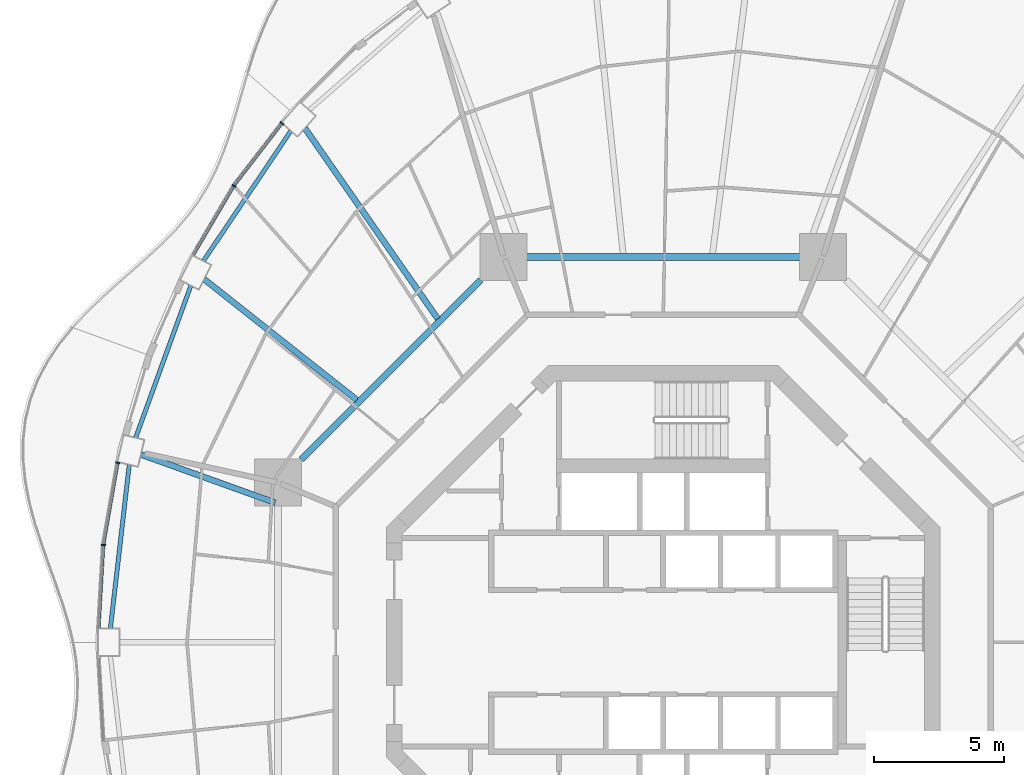
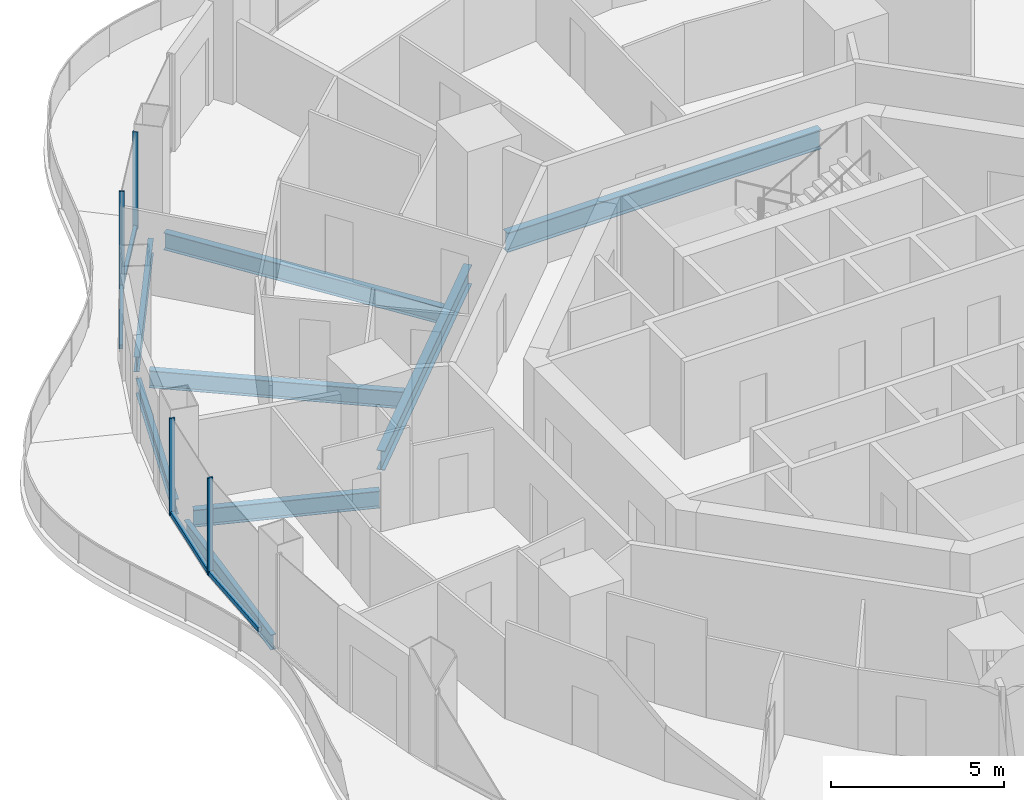
# One storey, part 6 of 19: 8 beams, 8 members, 4 elements without a shape of their own.
"""IFC4 building model written with IfcOpenShell, lengths in metres."""

from ifc_helpers import new_model, si_unit, direction, frame, origin, origin_2d, place, context, subcontext, project, spatial, rectangle, i_section, extrude, material, layer, layer_set, material_profile, profile_set, type_object, element, aggregate, save


model = new_model("IFC4")

# Units and contexts
model_context = context("Model", 3, precision=1e-05, world=origin(), true_north=direction((0.0, 1.0)))
body_context = subcontext(model_context, "Body", "Model", "MODEL_VIEW")
ifc_project = project(units=[si_unit("LENGTHUNIT", "METRE"), si_unit("AREAUNIT", "SQUARE_METRE"), si_unit("VOLUMEUNIT", "CUBIC_METRE"), si_unit("PLANEANGLEUNIT", "RADIAN"), si_unit("MASSUNIT", "GRAM", prefix="KILO")], contexts=[model_context])

# Site, building, storey
site_placement = place(None, origin())
site = spatial("IfcSite", under=ifc_project, at=site_placement, CompositionType="ELEMENT")
building_placement = place(site_placement, origin())
building = spatial("IfcBuilding", under=site, at=building_placement, Name="Nagisa Residences", CompositionType="ELEMENT")
storey_placement = place(building_placement, frame((0.0, 0.0, 184.39990234375)))
storey = spatial("IfcBuildingStorey", under=building, at=storey_placement, Name="L46", CompositionType="ELEMENT", Elevation=184.39990234375)

# Curtain wall, member
ifc_material_1 = material(Name="Concrete-coloured aluminium curtain wall system", Category="concrete")
ifc_layer = layer(ifc_material_1, 0.159912109375)
ifc_layer_set = layer_set([ifc_layer], Name="CW1 CURTAIN WALL")
curtain_wall_type = type_object("IfcCurtainWallType", Name="CW1 CURTAIN WALL", PredefinedType="NOTDEFINED", material=ifc_layer_set)
curtain_wall_1_placement = place(storey_placement, origin())
curtain_wall_1 = element("IfcCurtainWall", 1, at=curtain_wall_1_placement, inside=storey, type_object=curtain_wall_type, Name="cw:CW1:L46:18", PredefinedType="NOTDEFINED")
ifc_material_2 = material(Name="Concrete-coloured aluminium", Category="concrete")
ifc_material_profile_1 = material_profile(ifc_material_2, rectangle(XDim=0.159912109375, YDim=0.06005859375, at=origin_2d()), Name="CW1 MULLION 160x60")
ifc_profile_set_1 = profile_set([ifc_material_profile_1], Name="Concrete-coloured aluminium")
member_type_1 = type_object("IfcMemberType", Name="CW1 MULLION 160x60", PredefinedType="MULLION", material=ifc_profile_set_1)
member_1_placement = place(storey_placement, frame((-14.633544921875, 19.909423828125, 0.0), z_axis=(0.0, 0.0, 1.0), x_axis=(0.792070340816, -0.610429828235, 0.0)))
member_1 = element("IfcMember", 2, at=member_1_placement, type_object=member_type_1, Name="CW1 mullion", PredefinedType="MULLION", context=body_context, shape_type="SweptSolid", body=[
    extrude(rectangle(XDim=0.159912109375, YDim=0.06005859375, at=origin_2d()), origin(), (0.0, 0.0, 1.0), 3.440185546875),
])

curtain_wall_2_placement = place(storey_placement, origin())
curtain_wall_2 = element("IfcCurtainWall", 3, at=curtain_wall_2_placement, inside=storey, type_object=curtain_wall_type, Name="cw:CW1:L46:19", PredefinedType="NOTDEFINED")
member_2_placement = place(storey_placement, frame((-16.4775390625, 17.51171875, 0.0), z_axis=(0.0, 0.0, 1.0), x_axis=(0.862328898214, -0.506348567002, 0.0)))
member_2 = element("IfcMember", 4, at=member_2_placement, type_object=member_type_1, Name="CW1 mullion", PredefinedType="MULLION", context=body_context, shape_type="SweptSolid", body=[
    extrude(rectangle(XDim=0.159912109375, YDim=0.06005859375, at=origin_2d()), origin(), (0.0, 0.0, 1.0), 3.440185546875),
])

curtain_wall_3_placement = place(storey_placement, origin())
curtain_wall_3 = element("IfcCurtainWall", 5, at=curtain_wall_3_placement, inside=storey, type_object=curtain_wall_type, Name="cw:CW1:L46:22", PredefinedType="NOTDEFINED")
member_3_placement = place(storey_placement, frame((-20.931396484375, 6.88818359375, 0.0), z_axis=(0.0, 0.0, 1.0), x_axis=(0.985063604377, -0.172190868898, 0.0)))
member_3 = element("IfcMember", 6, at=member_3_placement, type_object=member_type_1, Name="CW1 mullion", PredefinedType="MULLION", context=body_context, shape_type="SweptSolid", body=[
    extrude(rectangle(XDim=0.159912109375, YDim=0.06005859375, at=origin_2d()), origin(), (0.0, 0.0, 1.0), 3.440185546875),
])

curtain_wall_4_placement = place(storey_placement, origin())
curtain_wall_4 = element("IfcCurtainWall", 7, at=curtain_wall_4_placement, inside=storey, type_object=curtain_wall_type, Name="cw:CW1:L46:23", PredefinedType="NOTDEFINED")
member_4_placement = place(storey_placement, frame((-21.479736328125, 3.734375, 0.0), z_axis=(0.0, 0.0, 1.0), x_axis=(0.998345305184, -0.057503492216, 0.0)))
member_4 = element("IfcMember", 8, at=member_4_placement, type_object=member_type_1, Name="CW1 mullion", PredefinedType="MULLION", context=body_context, shape_type="SweptSolid", body=[
    extrude(rectangle(XDim=0.159912109375, YDim=0.06005859375, at=origin_2d()), origin(), (0.0, 0.0, 1.0), 3.440185546875),
])

# Member
ifc_material_3 = material(Name="Concrete-coloured aluminium", Category="concrete")
ifc_material_profile_2 = material_profile(ifc_material_3, rectangle(XDim=0.1201171875, YDim=0.14990234375, at=origin_2d()), Name="CW1 TRANSOM 120x150")
ifc_profile_set_2 = profile_set([ifc_material_profile_2], Name="Concrete-coloured aluminium")
member_type_2 = type_object("IfcMemberType", Name="CW1 TRANSOM 120x150", PredefinedType="USERDEFINED", material=ifc_profile_set_2)
member_5_placement = place(storey_placement, frame((-14.615234375, 19.933349609375, 0.0751953125), z_axis=(-0.610398538814, -0.792094453846, 0.0), x_axis=(0.792094453846, -0.610398538814, 0.0)))
member_5 = element("IfcMember", 9, at=member_5_placement, type_object=member_type_2, Name="CW1 transom", ObjectType="TRANSOM", PredefinedType="USERDEFINED", context=body_context, shape_type="SweptSolid", body=[
    extrude(rectangle(XDim=0.1201171875, YDim=0.14990234375, at=origin_2d()), origin(), (0.0, 0.0, 1.0), 3.035400390625),
])

aggregate(curtain_wall_1, [member_1, member_5])

member_6_placement = place(storey_placement, frame((-16.46240234375, 17.53759765625, 0.0751953125), z_axis=(-0.506309086483, -0.862352079458, 0.0), x_axis=(0.862352079458, -0.506309086483, 0.0)))
member_6 = element("IfcMember", 10, at=member_6_placement, type_object=member_type_2, Name="CW1 transom", ObjectType="TRANSOM", PredefinedType="USERDEFINED", context=body_context, shape_type="SweptSolid", body=[
    extrude(rectangle(XDim=0.1201171875, YDim=0.14990234375, at=origin_2d()), origin(), (0.0, 0.0, 1.0), 3.091796875),
])

aggregate(curtain_wall_2, [member_2, member_6])

member_7_placement = place(storey_placement, frame((-20.92626953125, 6.917724609375, 0.0751953125), z_axis=(-0.172162664901, -0.98506853407, 0.0), x_axis=(0.98506853407, -0.172162664901, 0.0)))
member_7 = element("IfcMember", 11, at=member_7_placement, type_object=member_type_2, Name="CW1 transom", ObjectType="TRANSOM", PredefinedType="USERDEFINED", context=body_context, shape_type="SweptSolid", body=[
    extrude(rectangle(XDim=0.1201171875, YDim=0.14990234375, at=origin_2d()), origin(), (0.0, 0.0, 1.0), 3.21044921875),
])

aggregate(curtain_wall_3, [member_3, member_7])

member_8_placement = place(storey_placement, frame((-21.47802734375, 3.764404296875, 0.0751953125), z_axis=(-0.057528345118, -0.998343873376, 0.0), x_axis=(0.998343873376, -0.057528345118, 0.0)))
member_8 = element("IfcMember", 12, at=member_8_placement, type_object=member_type_2, Name="CW1 transom", ObjectType="TRANSOM", PredefinedType="USERDEFINED", context=body_context, shape_type="SweptSolid", body=[
    extrude(rectangle(XDim=0.1201171875, YDim=0.14990234375, at=origin_2d()), origin(), (0.0, 0.0, 1.0), 3.225341796875),
])

aggregate(curtain_wall_4, [member_4, member_8])

# Beams
ifc_material_4 = material(Name="Steel ASTM A572 Gr 50", Category="steel")
ifc_material_profile_3 = material_profile(ifc_material_4, i_section(OverallWidth=0.25390625, OverallDepth=0.68408203125, WebThickness=0.012451171875, FlangeThickness=0.018798828125, at=origin_2d()), Name="W690x140")
ifc_profile_set_3 = profile_set([ifc_material_profile_3], Name="Steel ASTM A572 Gr 50")
beam_type_1 = type_object("IfcBeamType", Name="Inner ring beam W690x140", PredefinedType="BEAM", material=ifc_profile_set_3)
beam_1_placement = place(storey_placement, frame((5.242919921875, 14.781982421875, -0.601806640625), z_axis=(-1.0, 0.0, 0.0), x_axis=(0.0, -1.0, 0.0)))
element("IfcBeam", 13, at=beam_1_placement, inside=storey, type_object=beam_type_1, Name="beam:L46:ib2", PredefinedType="BEAM", context=body_context, shape_type="SweptSolid", body=[
    extrude(i_section(OverallWidth=0.25390625, OverallDepth=0.68408203125, WebThickness=0.012451171875, FlangeThickness=0.018798828125, at=origin_2d()), origin(), (0.0, 0.0, 1.0), 10.48583984375),
])
beam_2_placement = place(storey_placement, frame((-7.0087890625, 13.896240234375, -0.601806640625), z_axis=(-0.707106781187, -0.707106781187, 0.0), x_axis=(0.707106781187, -0.707106781187, 0.0)))
element("IfcBeam", 14, at=beam_2_placement, inside=storey, type_object=beam_type_1, Name="beam:L46:ib3", PredefinedType="BEAM", context=body_context, shape_type="SweptSolid", body=[
    extrude(i_section(OverallWidth=0.25390625, OverallDepth=0.68408203125, WebThickness=0.012451171875, FlangeThickness=0.018798828125, at=origin_2d()), origin(), (0.0, 0.0, 1.0), 9.740234375),
])
ifc_material_5 = material(Name="Steel ASTM A572 Gr 50", Category="steel")
ifc_material_profile_4 = material_profile(ifc_material_5, i_section(OverallWidth=0.166015625, OverallDepth=0.534912109375, WebThickness=0.01025390625, FlangeThickness=0.0166015625, at=origin_2d()), Name="W530x85")
ifc_profile_set_4 = profile_set([ifc_material_profile_4], Name="Steel ASTM A572 Gr 50")
beam_type_2 = type_object("IfcBeamType", Name="Perimeter ring beam W530x85", PredefinedType="BEAM", material=ifc_profile_set_4)
beam_3_placement = place(storey_placement, frame((-14.28759765625, 19.62060546875, -0.52734375), z_axis=(-0.558152301307, -0.829738518177, 0.0), x_axis=(0.829738518177, -0.558152301307, 0.0)))
element("IfcBeam", 15, at=beam_3_placement, inside=storey, type_object=beam_type_2, Name="beam:L46:pb10", PredefinedType="BEAM", context=body_context, shape_type="SweptSolid", body=[
    extrude(i_section(OverallWidth=0.166015625, OverallDepth=0.534912109375, WebThickness=0.01025390625, FlangeThickness=0.0166015625, at=origin_2d()), origin(), (0.0, 0.0, 1.0), 6.013916015625),
])
beam_4_placement = place(storey_placement, frame((-18.124755859375, 13.685546875, -0.52734375), z_axis=(-0.341285525681, -0.939959674646, 0.0), x_axis=(0.939959674646, -0.341285525681, 0.0)))
element("IfcBeam", 16, at=beam_4_placement, inside=storey, type_object=beam_type_2, Name="beam:L46:pb11", PredefinedType="BEAM", context=body_context, shape_type="SweptSolid", body=[
    extrude(i_section(OverallWidth=0.166015625, OverallDepth=0.534912109375, WebThickness=0.01025390625, FlangeThickness=0.0166015625, at=origin_2d()), origin(), (0.0, 0.0, 1.0), 6.212890625),
])
beam_5_placement = place(storey_placement, frame((-20.488525390625, 6.813720703125, -0.52734375), z_axis=(-0.114670987431, -0.993403525583, 0.0), x_axis=(0.993403525583, -0.114670987431, 0.0)))
element("IfcBeam", 17, at=beam_5_placement, inside=storey, type_object=beam_type_2, Name="beam:L46:pb12", PredefinedType="BEAM", context=body_context, shape_type="SweptSolid", body=[
    extrude(i_section(OverallWidth=0.166015625, OverallDepth=0.534912109375, WebThickness=0.01025390625, FlangeThickness=0.0166015625, at=origin_2d()), origin(), (0.0, 0.0, 1.0), 6.325439453125),
])
ifc_material_6 = material(Name="Steel ASTM A572 Gr 50", Category="steel")
ifc_material_profile_5 = material_profile(ifc_material_6, i_section(OverallWidth=0.22802734375, OverallDepth=0.60302734375, WebThickness=0.010498046875, FlangeThickness=0.014892578125, at=origin_2d()), Name="W610x101")
ifc_profile_set_5 = profile_set([ifc_material_profile_5], Name="Steel ASTM A572 Gr 50")
beam_type_3 = type_object("IfcBeamType", Name="Radial beam W610x101", PredefinedType="BEAM", material=ifc_profile_set_5)
beam_6_placement = place(storey_placement, frame((-13.75048828125, 19.7216796875, -0.5615234375), z_axis=(0.571934479253, -0.82029930601, 0.0), x_axis=(0.82029930601, 0.571934479253, 0.0)))
element("IfcBeam", 18, at=beam_6_placement, inside=storey, type_object=beam_type_3, Name="beam:L46:rb10", PredefinedType="BEAM", context=body_context, shape_type="SweptSolid", body=[
    extrude(i_section(OverallWidth=0.22802734375, OverallDepth=0.60302734375, WebThickness=0.010498046875, FlangeThickness=0.014892578125, at=origin_2d()), origin(), (0.0, 0.0, 1.0), 8.917724609375),
])
beam_7_placement = place(storey_placement, frame((-17.617919921875, 13.930908203125, -0.5615234375), z_axis=(0.784411523752, -0.620240728593, 0.0), x_axis=(0.620240728593, 0.784411523752, 0.0)))
element("IfcBeam", 19, at=beam_7_placement, inside=storey, type_object=beam_type_3, Name="beam:L46:rb11", PredefinedType="BEAM", context=body_context, shape_type="SweptSolid", body=[
    extrude(i_section(OverallWidth=0.22802734375, OverallDepth=0.60302734375, WebThickness=0.010498046875, FlangeThickness=0.014892578125, at=origin_2d()), origin(), (0.0, 0.0, 1.0), 7.4697265625),
])
beam_8_placement = place(storey_placement, frame((-20.043701171875, 7.2060546875, -0.5615234375), z_axis=(0.941032808963, -0.338315315137, 0.0), x_axis=(0.338315315137, 0.941032808963, 0.0)))
element("IfcBeam", 20, at=beam_8_placement, inside=storey, type_object=beam_type_3, Name="beam:L46:rb12", PredefinedType="BEAM", context=body_context, shape_type="SweptSolid", body=[
    extrude(i_section(OverallWidth=0.22802734375, OverallDepth=0.60302734375, WebThickness=0.010498046875, FlangeThickness=0.014892578125, at=origin_2d()), origin(), (0.0, 0.0, 1.0), 5.4765625),
])

save(model, "model.ifc")
